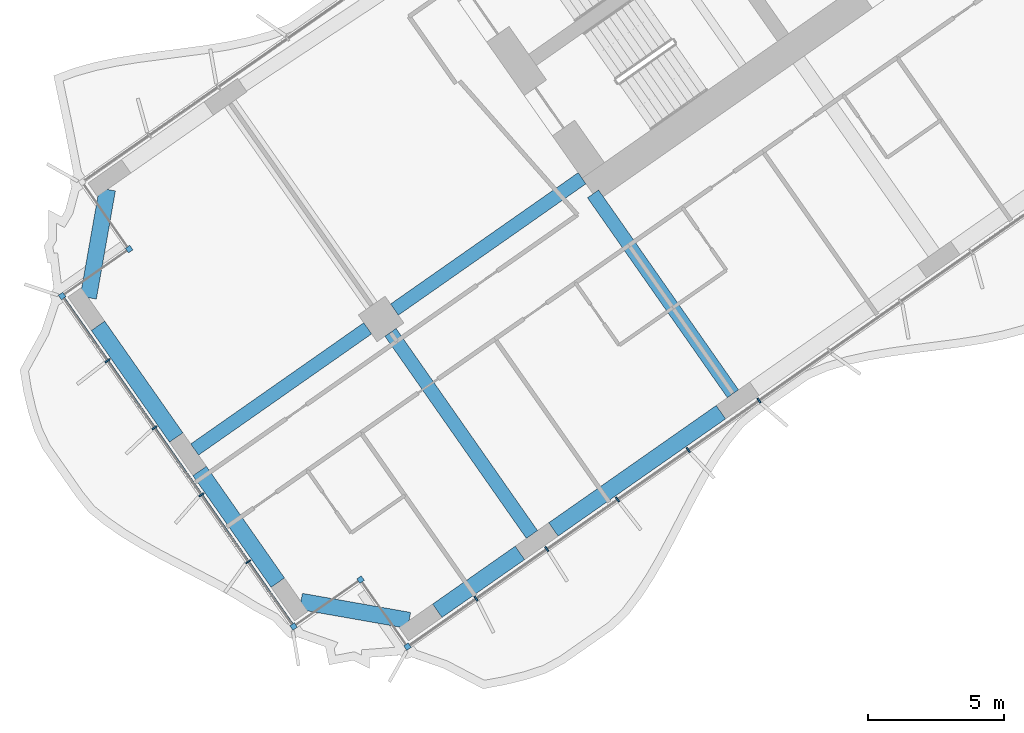
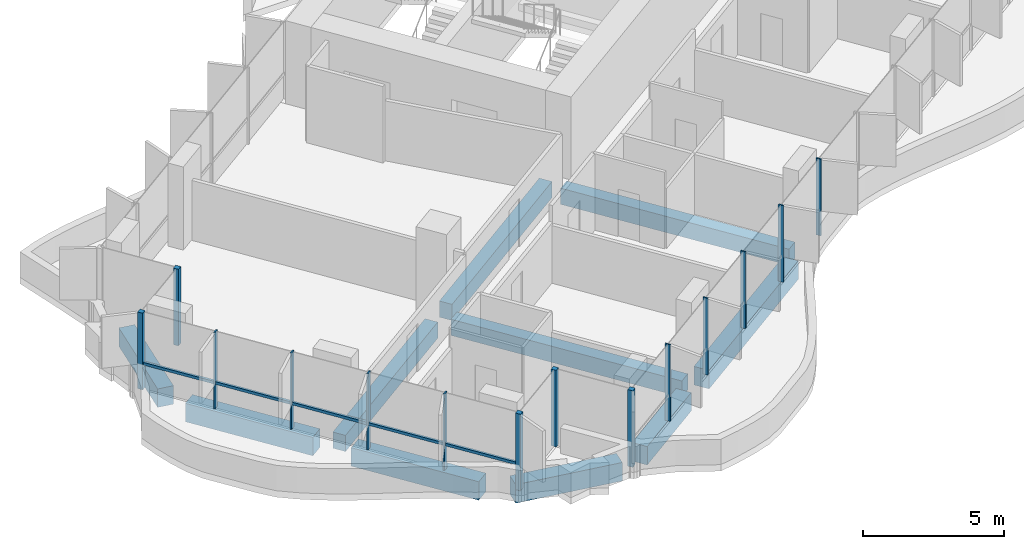
# One storey, part 2 of 23: 15 members, 10 beams, 1 element without a shape of its own.
"""IFC4 building model written with IfcOpenShell, lengths in metres."""

from ifc_helpers import new_model, si_unit, direction, frame, origin, origin_2d, place, context, subcontext, project, spatial, rectangle, extrude, material, material_profile, profile_set, type_object, element, aggregate, save


model = new_model("IFC4")

# Units and contexts
model_context = context("Model", 3, precision=1e-05, world=origin(), true_north=direction((0.0, 1.0)))
body_context = subcontext(model_context, "Body", "Model", "MODEL_VIEW")
ifc_project = project(units=[si_unit("LENGTHUNIT", "METRE"), si_unit("AREAUNIT", "SQUARE_METRE"), si_unit("VOLUMEUNIT", "CUBIC_METRE"), si_unit("PLANEANGLEUNIT", "RADIAN"), si_unit("MASSUNIT", "GRAM", prefix="KILO")], contexts=[model_context])

# Site, building, storey
site_placement = place(None, origin())
site = spatial("IfcSite", under=ifc_project, at=site_placement, CompositionType="ELEMENT")
building_placement = place(site_placement, origin())
building = spatial("IfcBuilding", under=site, at=building_placement, Name="Tel Ilan Convention Tower", CompositionType="ELEMENT")
storey_placement = place(building_placement, frame((0.0, 0.0, 112.10009765625)))
storey = spatial("IfcBuildingStorey", under=building, at=storey_placement, Name="L24", CompositionType="ELEMENT", Elevation=112.10009765625)

# Beams
ifc_material_1 = material(Name="Concrete C40/50", Category="concrete")
ifc_material_profile_1 = material_profile(ifc_material_1, rectangle(XDim=0.5, YDim=0.699951171875, at=origin_2d()), Name="RC 500x700")
ifc_profile_set_1 = profile_set([ifc_material_profile_1], Name="Concrete C40/50")
beam_type_1 = type_object("IfcBeamType", Name="Beam RC 500x700 Concrete C40/50", PredefinedType="BEAM", material=ifc_profile_set_1)
beam_1_placement = place(storey_placement, frame((-16.58203125, -23.391357421875, -0.630126953125), z_axis=(-0.573584999642, 0.819146048141, 0.0), x_axis=(-0.819146048141, -0.573584999642, 0.0)))
element("IfcBeam", 1, at=beam_1_placement, inside=storey, type_object=beam_type_1, Name="L24 beam W-W-F3-core", PredefinedType="BEAM", context=body_context, shape_type="SweptSolid", body=[
    extrude(rectangle(XDim=0.5, YDim=0.699951171875, at=origin_2d()), origin(), (0.0, 0.0, 1.0), 8.949951171875),
])
beam_2_placement = place(storey_placement, frame((-22.1171875, -15.486572265625, -0.630126953125), z_axis=(-0.819147254605, -0.573583276668, 0.0), x_axis=(0.573583276668, -0.819147254605, 0.0)))
element("IfcBeam", 2, at=beam_2_placement, inside=storey, type_object=beam_type_1, Name="L24 beam W-core-W-M4", PredefinedType="BEAM", context=body_context, shape_type="SweptSolid", body=[
    extrude(rectangle(XDim=0.5, YDim=0.699951171875, at=origin_2d()), origin(), (0.0, 0.0, 1.0), 8.400146484375),
])
beam_3_placement = place(storey_placement, frame((-29.98095703125, -20.992919921875, -0.630126953125), z_axis=(-0.819159394801, -0.573565938589, 0.0), x_axis=(0.573565938589, -0.819159394801, 0.0)))
element("IfcBeam", 3, at=beam_3_placement, inside=storey, type_object=beam_type_1, Name="L24 beam W-W-M4-end", PredefinedType="BEAM", context=body_context, shape_type="SweptSolid", body=[
    extrude(rectangle(XDim=0.5, YDim=0.699951171875, at=origin_2d()), origin(), (0.0, 0.0, 1.0), 7.75),
])
beam_4_placement = place(storey_placement, frame((-29.145263671875, -21.14013671875, -0.630126953125), z_axis=(0.573549245583, -0.819171082798, 0.0), x_axis=(0.819171082798, 0.573549245583, 0.0)))
element("IfcBeam", 4, at=beam_4_placement, inside=storey, type_object=beam_type_1, Name="L24 beam W-W-M4-W-F4", PredefinedType="BEAM", context=body_context, shape_type="SweptSolid", body=[
    extrude(rectangle(XDim=0.5, YDim=0.699951171875, at=origin_2d()), origin(), (0.0, 0.0, 1.0), 9.050048828125),
])
ifc_material_2 = material(Name="Concrete C40/50", Category="concrete")
ifc_material_profile_2 = material_profile(ifc_material_2, rectangle(XDim=0.60009765625, YDim=0.800048828125, at=origin_2d()), Name="RC 600x800")
ifc_profile_set_2 = profile_set([ifc_material_profile_2], Name="Concrete C40/50")
beam_type_2 = type_object("IfcBeamType", Name="Beam RC 600x800 Concrete C40/50", PredefinedType="BEAM", material=ifc_profile_set_2)
beam_5_placement = place(storey_placement, frame((-17.0244140625, -24.0673828125, -0.68017578125), z_axis=(-0.81915238829, -0.573575945067, 0.0), x_axis=(0.573575945067, -0.81915238829, 0.0)))
element("IfcBeam", 5, at=beam_5_placement, inside=storey, type_object=beam_type_2, Name="L24 beam W-W-F3-W-F4", PredefinedType="BEAM", context=body_context, shape_type="SweptSolid", body=[
    extrude(rectangle(XDim=0.60009765625, YDim=0.800048828125, at=origin_2d()), origin(), (0.0, 0.0, 1.0), 7.5),
])
beam_6_placement = place(storey_placement, frame((-24.396728515625, -29.2294921875, -0.68017578125), z_axis=(-0.819132709951, -0.573604047656, 0.0), x_axis=(0.573604047656, -0.819132709951, 0.0)))
element("IfcBeam", 6, at=beam_6_placement, inside=storey, type_object=beam_type_2, Name="L24 beam W-W-F4-W-FC", PredefinedType="BEAM", context=body_context, shape_type="SweptSolid", body=[
    extrude(rectangle(XDim=0.60009765625, YDim=0.800048828125, at=origin_2d()), origin(), (0.0, 0.0, 1.0), 3.699951171875),
])
beam_7_placement = place(storey_placement, frame((-28.459716796875, -31.708251953125, -0.68017578125), z_axis=(-0.984806721117, 0.173654029734, 0.0), x_axis=(-0.173654029734, -0.984806721117, 0.0)))
element("IfcBeam", 7, at=beam_7_placement, inside=storey, type_object=beam_type_2, Name="L24 beam W-W-FC-W-E1", PredefinedType="BEAM", context=body_context, shape_type="SweptSolid", body=[
    extrude(rectangle(XDim=0.60009765625, YDim=0.800048828125, at=origin_2d()), origin(), (0.0, 0.0, 1.0), 4.03076171875),
])
for number, where, z_axis, x_axis, name in (
    (8, (-33.277099609375, -30.3203125, -0.68017578125), (-0.573586866468, 0.819144740944, 0.0), (-0.819144740944, -0.573586866468, 0.0), "L24 beam W-W-E1-W-E2"),
    (9, (-37.00537109375, -24.995849609375, -0.68017578125), (-0.573586866468, 0.819144740944, 0.0), (-0.819144740944, -0.573586866468, 0.0), "L24 beam W-W-E2-W-E3"),
):
    element("IfcBeam", number, at=place(storey_placement, frame(where, z_axis=z_axis, x_axis=x_axis)), inside=storey, type_object=beam_type_2, Name=name, PredefinedType="BEAM", context=body_context, shape_type="SweptSolid", body=[
        extrude(rectangle(XDim=0.60009765625, YDim=0.800048828125, at=origin_2d()), origin(), (0.0, 0.0, 1.0), 5.0),
    ])
beam_8_placement = place(storey_placement, frame((-40.229736328125, -19.867919921875, -0.68017578125), z_axis=(0.173664388751, 0.984804894423, 0.0), x_axis=(-0.984804894423, 0.173664388751, 0.0)))
element("IfcBeam", 10, at=beam_8_placement, inside=storey, type_object=beam_type_2, Name="L24 beam W-W-E3-W-BC", PredefinedType="BEAM", context=body_context, shape_type="SweptSolid", body=[
    extrude(rectangle(XDim=0.60009765625, YDim=0.800048828125, at=origin_2d()), origin(), (0.0, 0.0, 1.0), 4.030517578125),
])

# Curtain wall, members
ifc_material_3 = material(Name="Aluminium, bronze anodised", Category="aluminium")
curtain_wall_type = type_object("IfcCurtainWallType", Name="CW1 UNITISED CURTAIN WALL, HOTEL TINTED GLASS", PredefinedType="NOTDEFINED", material=ifc_material_3)
curtain_wall_placement = place(storey_placement, origin())
curtain_wall = element("IfcCurtainWall", 11, at=curtain_wall_placement, inside=storey, type_object=curtain_wall_type, Name="Curtain wall CW1-20.02", PredefinedType="NOTDEFINED")
ifc_material_4 = material(Name="Aluminium, bronze anodised", Category="aluminium")
ifc_material_profile_3 = material_profile(ifc_material_4, rectangle(XDim=0.199951171875, YDim=0.199951171875, at=origin_2d()), Name="CW CORNER MULLION 200x200")
ifc_profile_set_3 = profile_set([ifc_material_profile_3], Name="Aluminium, bronze anodised")
member_type_1 = type_object("IfcMemberType", Name="CW CORNER MULLION 200x200", PredefinedType="MULLION", material=ifc_profile_set_3)
member_1_placement = place(storey_placement, frame((-38.730712890625, -18.0859375, 0.0), z_axis=(0.0, 0.0, 1.0), x_axis=(0.573576436351, -0.819152044289, 0.0)))
member_1 = element("IfcMember", 12, at=member_1_placement, type_object=member_type_1, Name="Corner mullion", PredefinedType="MULLION", context=body_context, shape_type="SweptSolid", body=[
    extrude(rectangle(XDim=0.199951171875, YDim=0.199951171875, at=origin_2d()), origin(), (0.0, 0.0, 1.0), 3.31982421875),
])
member_2_placement = place(storey_placement, frame((-41.188232421875, -19.806640625, 0.0), z_axis=(0.0, 0.0, 1.0), x_axis=(-0.819152044289, -0.573576436351, 0.0)))
member_2 = element("IfcMember", 13, at=member_2_placement, type_object=member_type_1, Name="Corner mullion", PredefinedType="MULLION", context=body_context, shape_type="SweptSolid", body=[
    extrude(rectangle(XDim=0.199951171875, YDim=0.199951171875, at=origin_2d()), origin(), (0.0, 0.0, 1.0), 3.31982421875),
])
member_3_placement = place(storey_placement, frame((-32.69921875, -31.929931640625, 0.0), z_axis=(0.0, 0.0, 1.0), x_axis=(0.573576436351, -0.819152044289, 0.0)))
member_3 = element("IfcMember", 14, at=member_3_placement, type_object=member_type_1, Name="Corner mullion", PredefinedType="MULLION", context=body_context, shape_type="SweptSolid", body=[
    extrude(rectangle(XDim=0.199951171875, YDim=0.199951171875, at=origin_2d()), origin(), (0.0, 0.0, 1.0), 3.31982421875),
])
member_4_placement = place(storey_placement, frame((-30.241943359375, -30.209228515625, 0.0), z_axis=(0.0, 0.0, 1.0), x_axis=(0.819152044289, 0.573576436351, 0.0)))
member_4 = element("IfcMember", 15, at=member_4_placement, type_object=member_type_1, Name="Corner mullion", PredefinedType="MULLION", context=body_context, shape_type="SweptSolid", body=[
    extrude(rectangle(XDim=0.199951171875, YDim=0.199951171875, at=origin_2d()), origin(), (0.0, 0.0, 1.0), 3.31982421875),
])
member_5_placement = place(storey_placement, frame((-28.52099609375, -32.666748046875, 0.0), z_axis=(0.0, 0.0, 1.0), x_axis=(0.573576436351, -0.819152044289, 0.0)))
member_5 = element("IfcMember", 16, at=member_5_placement, type_object=member_type_1, Name="Corner mullion", PredefinedType="MULLION", context=body_context, shape_type="SweptSolid", body=[
    extrude(rectangle(XDim=0.199951171875, YDim=0.199951171875, at=origin_2d()), origin(), (0.0, 0.0, 1.0), 3.31982421875),
])
ifc_material_5 = material(Name="Aluminium, bronze anodised", Category="aluminium")
ifc_material_profile_4 = material_profile(ifc_material_5, rectangle(XDim=0.06005859375, YDim=0.199951171875, at=origin_2d()), Name="CW MULLION 60x200")
ifc_profile_set_4 = profile_set([ifc_material_profile_4], Name="Aluminium, bronze anodised")
member_type_2 = type_object("IfcMemberType", Name="CW MULLION 60x200", PredefinedType="MULLION", material=ifc_profile_set_4)
member_6_placement = place(storey_placement, frame((-39.52490234375, -22.18212890625, 0.0), z_axis=(0.0, 0.0, 1.0), x_axis=(0.573576436351, -0.819152044289, 0.0)))
member_6 = element("IfcMember", 17, at=member_6_placement, type_object=member_type_2, Name="Mullion", PredefinedType="MULLION", context=body_context, shape_type="SweptSolid", body=[
    extrude(rectangle(XDim=0.06005859375, YDim=0.199951171875, at=origin_2d()), origin(), (0.0, 0.0, 1.0), 3.31982421875),
])
member_7_placement = place(storey_placement, frame((-37.80419921875, -24.6396484375, 0.0), z_axis=(0.0, 0.0, 1.0), x_axis=(0.573576436351, -0.819152044289, 0.0)))
member_7 = element("IfcMember", 18, at=member_7_placement, type_object=member_type_2, Name="Mullion", PredefinedType="MULLION", context=body_context, shape_type="SweptSolid", body=[
    extrude(rectangle(XDim=0.06005859375, YDim=0.199951171875, at=origin_2d()), origin(), (0.0, 0.0, 1.0), 3.31982421875),
])
member_8_placement = place(storey_placement, frame((-36.08349609375, -27.096923828125, 0.0), z_axis=(0.0, 0.0, 1.0), x_axis=(0.573576436351, -0.819152044289, 0.0)))
member_8 = element("IfcMember", 19, at=member_8_placement, type_object=member_type_2, Name="Mullion", PredefinedType="MULLION", context=body_context, shape_type="SweptSolid", body=[
    extrude(rectangle(XDim=0.06005859375, YDim=0.199951171875, at=origin_2d()), origin(), (0.0, 0.0, 1.0), 3.31982421875),
])
member_9_placement = place(storey_placement, frame((-34.362548828125, -29.554443359375, 0.0), z_axis=(0.0, 0.0, 1.0), x_axis=(0.573576436351, -0.819152044289, 0.0)))
member_9 = element("IfcMember", 20, at=member_9_placement, type_object=member_type_2, Name="Mullion", PredefinedType="MULLION", context=body_context, shape_type="SweptSolid", body=[
    extrude(rectangle(XDim=0.06005859375, YDim=0.199951171875, at=origin_2d()), origin(), (0.0, 0.0, 1.0), 3.31982421875),
])
member_10_placement = place(storey_placement, frame((-26.008056640625, -30.906982421875, 0.0), z_axis=(0.0, 0.0, 1.0), x_axis=(0.819152044289, 0.573576436351, 0.0)))
member_10 = element("IfcMember", 21, at=member_10_placement, type_object=member_type_2, Name="Mullion", PredefinedType="MULLION", context=body_context, shape_type="SweptSolid", body=[
    extrude(rectangle(XDim=0.06005859375, YDim=0.199951171875, at=origin_2d()), origin(), (0.0, 0.0, 1.0), 3.31982421875),
])
member_11_placement = place(storey_placement, frame((-23.412841796875, -29.08984375, 0.0), z_axis=(0.0, 0.0, 1.0), x_axis=(0.819152044289, 0.573576436351, 0.0)))
member_11 = element("IfcMember", 22, at=member_11_placement, type_object=member_type_2, Name="Mullion", PredefinedType="MULLION", context=body_context, shape_type="SweptSolid", body=[
    extrude(rectangle(XDim=0.06005859375, YDim=0.199951171875, at=origin_2d()), origin(), (0.0, 0.0, 1.0), 3.31982421875),
])
member_12_placement = place(storey_placement, frame((-20.81787109375, -27.27294921875, 0.0), z_axis=(0.0, 0.0, 1.0), x_axis=(0.819152044289, 0.573576436351, 0.0)))
member_12 = element("IfcMember", 23, at=member_12_placement, type_object=member_type_2, Name="Mullion", PredefinedType="MULLION", context=body_context, shape_type="SweptSolid", body=[
    extrude(rectangle(XDim=0.06005859375, YDim=0.199951171875, at=origin_2d()), origin(), (0.0, 0.0, 1.0), 3.31982421875),
])
member_13_placement = place(storey_placement, frame((-18.222900390625, -25.455810546875, 0.0), z_axis=(0.0, 0.0, 1.0), x_axis=(0.819152044289, 0.573576436351, 0.0)))
member_13 = element("IfcMember", 24, at=member_13_placement, type_object=member_type_2, Name="Mullion", PredefinedType="MULLION", context=body_context, shape_type="SweptSolid", body=[
    extrude(rectangle(XDim=0.06005859375, YDim=0.199951171875, at=origin_2d()), origin(), (0.0, 0.0, 1.0), 3.31982421875),
])
member_14_placement = place(storey_placement, frame((-15.627685546875, -23.638671875, 0.0), z_axis=(0.0, 0.0, 1.0), x_axis=(0.819152044289, 0.573576436351, 0.0)))
member_14 = element("IfcMember", 25, at=member_14_placement, type_object=member_type_2, Name="Mullion", PredefinedType="MULLION", context=body_context, shape_type="SweptSolid", body=[
    extrude(rectangle(XDim=0.06005859375, YDim=0.199951171875, at=origin_2d()), origin(), (0.0, 0.0, 1.0), 3.31982421875),
])
ifc_material_6 = material(Name="Aluminium, bronze anodised", Category="aluminium")
ifc_material_profile_5 = material_profile(ifc_material_6, rectangle(XDim=0.10009765625, YDim=0.1201171875, at=origin_2d()), Name="CW TRANSOM 100x120")
ifc_profile_set_5 = profile_set([ifc_material_profile_5], Name="Aluminium, bronze anodised")
member_type_3 = type_object("IfcMemberType", Name="CW TRANSOM 100x120", PredefinedType="USERDEFINED", material=ifc_profile_set_5)
member_15_placement = place(storey_placement, frame((-41.130859375, -19.888427734375, 1.099853515625), z_axis=(0.573575688231, -0.819152568128, 0.0), x_axis=(0.819152568128, 0.573575688231, 0.0)))
member_15 = element("IfcMember", 26, at=member_15_placement, type_object=member_type_3, Name="Transom", ObjectType="TRANSOM", PredefinedType="USERDEFINED", context=body_context, shape_type="SweptSolid", body=[
    extrude(rectangle(XDim=0.10009765625, YDim=0.1201171875, at=origin_2d()), origin(), (0.0, 0.0, 1.0), 14.60009765625),
])
aggregate(curtain_wall, [member_1, member_2, member_6, member_7, member_8, member_9, member_3, member_15, member_4, member_5, member_10, member_11, member_12, member_13, member_14])

save(model, "model.ifc")
